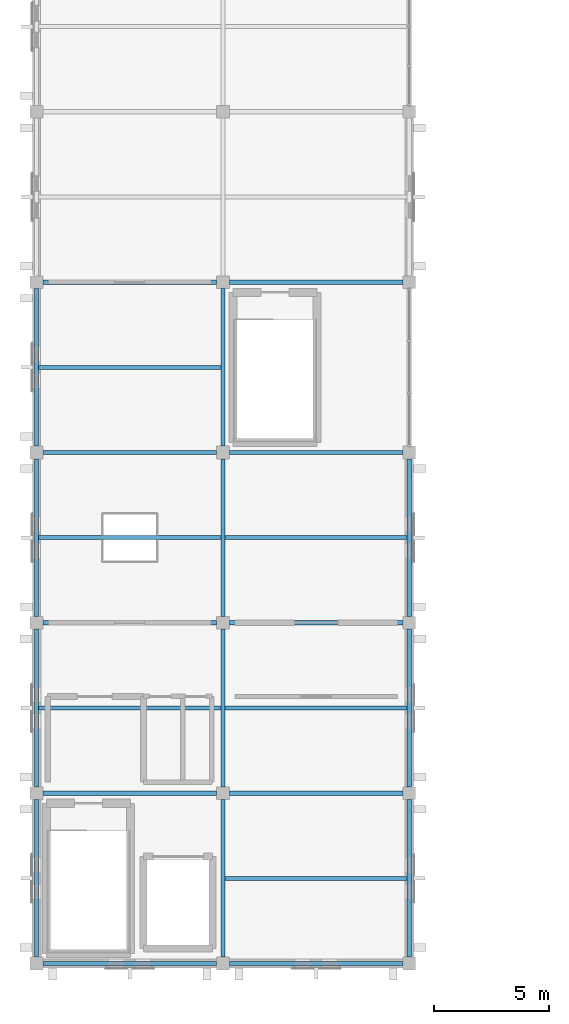
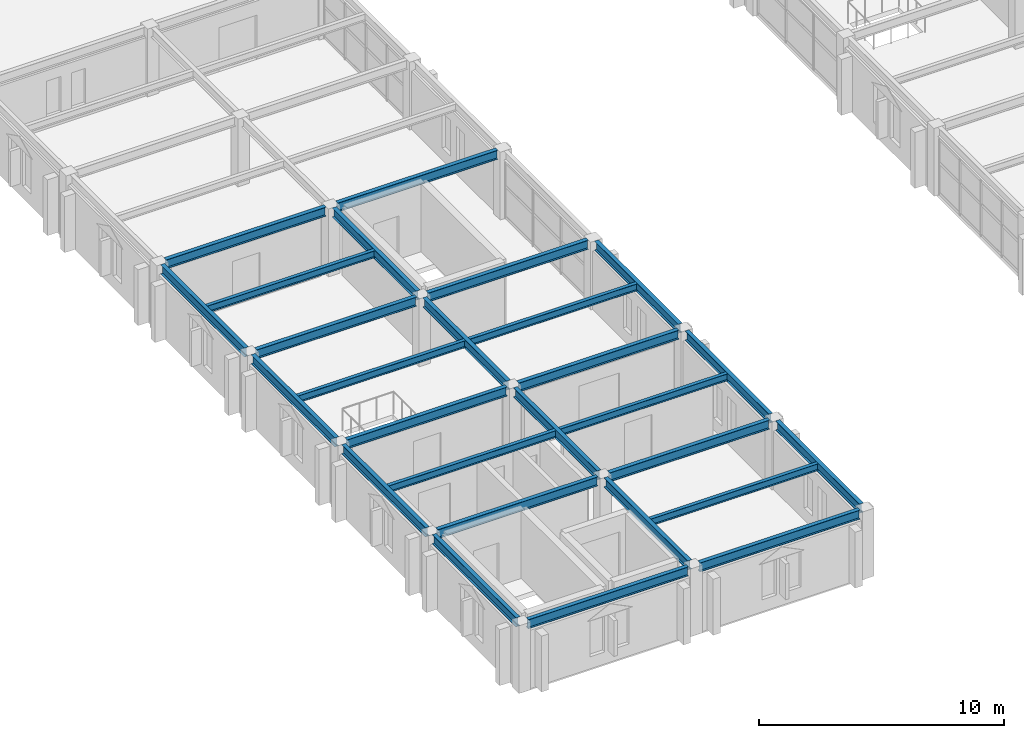
# One storey, part 5 of 93: 27 beams.
"""IFC4 building model written with IfcOpenShell, lengths in metres."""

from ifc_helpers import new_model, si_unit, direction, frame, origin, origin_2d, place, context, subcontext, project, spatial, i_section, extrude, material, material_profile, profile_set, type_object, element, save


model = new_model("IFC4")

# Units and contexts
model_context = context("Model", 3, precision=1e-05, world=origin(), true_north=direction((0.0, 1.0)))
body_context = subcontext(model_context, "Body", "Model", "MODEL_VIEW")
ifc_project = project(units=[si_unit("LENGTHUNIT", "METRE"), si_unit("AREAUNIT", "SQUARE_METRE"), si_unit("VOLUMEUNIT", "CUBIC_METRE"), si_unit("PLANEANGLEUNIT", "RADIAN"), si_unit("MASSUNIT", "GRAM", prefix="KILO")], contexts=[model_context])

# Site, building, storey
site_placement = place(None, origin())
site = spatial("IfcSite", under=ifc_project, at=site_placement, CompositionType="ELEMENT")
building_placement = place(site_placement, origin())
building = spatial("IfcBuilding", under=site, at=building_placement, Name="Cimatlan Art Gallery", CompositionType="ELEMENT")
storey_placement = place(building_placement, frame((0.0, 0.0, 13.800048828125)))
storey = spatial("IfcBuildingStorey", under=building, at=storey_placement, Name="L03", CompositionType="ELEMENT", Elevation=13.800048828125)

# Beams
ifc_material = material(Name="Steel ASTM A992 Grade 50", Category="steel")
ifc_material_profile_1 = material_profile(ifc_material, i_section(OverallWidth=0.1708984375, OverallDepth=0.35107421875, WebThickness=0.0068359375, FlangeThickness=0.009765625, at=origin_2d()), Name="W14X30")
ifc_profile_set_1 = profile_set([ifc_material_profile_1], Name="Steel ASTM A992 Grade 50")
beam_type_1 = type_object("IfcBeamType", Name="BM-STL-W14X30", PredefinedType="JOIST", material=ifc_profile_set_1)
for number, where, z_axis, x_axis, name in (
    (1, (2.095458984375, 35.0, 3.204345703125), (1.0, 0.0, 0.0), (0.0, 1.0, 0.0), "JST-L03-00-04"),
    (2, (2.095458984375, 42.39990234375, 3.204345703125), (1.0, 0.0, 0.0), (0.0, 1.0, 0.0), "JST-L03-00-05"),
    (3, (2.095458984375, 49.800048828125, 3.204345703125), (1.0, 0.0, 0.0), (0.0, 1.0, 0.0), "JST-L03-00-06"),
    (4, (10.195556640625, 27.60009765625, 3.204345703125), (1.0, 0.0, 0.0), (0.0, 1.0, 0.0), "JST-L03-01-03"),
    (5, (10.195556640625, 35.0, 3.204345703125), (1.0, 0.0, 0.0), (0.0, 1.0, 0.0), "JST-L03-01-04"),
    (6, (10.195556640625, 42.39990234375, 3.204345703125), (1.0, 0.0, 0.0), (0.0, 1.0, 0.0), "JST-L03-01-05"),
):
    element("IfcBeam", number, at=place(storey_placement, frame(where, z_axis=z_axis, x_axis=x_axis)), inside=storey, type_object=beam_type_1, Name=name, PredefinedType="JOIST", context=body_context, shape_type="SweptSolid", body=[
        extrude(i_section(OverallWidth=0.1708984375, OverallDepth=0.35107421875, WebThickness=0.0068359375, FlangeThickness=0.009765625, at=origin_2d()), origin(), (0.0, 0.0, 1.0), 7.908935546875),
    ])
ifc_material_profile_2 = material_profile(ifc_material, i_section(OverallWidth=0.19091796875, OverallDepth=0.45703125, WebThickness=0.009033203125, FlangeThickness=0.014404296875, at=origin_2d()), Name="W18X50")
ifc_profile_set_2 = profile_set([ifc_material_profile_2], Name="Steel ASTM A992 Grade 50")
beam_type_2 = type_object("IfcBeamType", Name="BM-STL-W18X50", PredefinedType="BEAM", material=ifc_profile_set_2)
beam_1_placement = place(storey_placement, frame((2.0, 24.175048828125, 3.1513671875), z_axis=(0.0, 1.0, 0.0), x_axis=(-1.0, 0.0, 0.0)))
element("IfcBeam", 7, at=beam_1_placement, inside=storey, type_object=beam_type_2, Name="BM-Y-L03-00-03", PredefinedType="BEAM", context=body_context, shape_type="SweptSolid", body=[
    extrude(i_section(OverallWidth=0.19091796875, OverallDepth=0.45703125, WebThickness=0.009033203125, FlangeThickness=0.014404296875, at=origin_2d()), origin(), (0.0, 0.0, 1.0), 6.849853515625),
])
beam_2_placement = place(storey_placement, frame((2.0, 31.574951171875, 3.1513671875), z_axis=(0.0, 1.0, 0.0), x_axis=(-1.0, 0.0, 0.0)))
element("IfcBeam", 8, at=beam_2_placement, inside=storey, type_object=beam_type_2, Name="BM-Y-L03-00-04", PredefinedType="BEAM", context=body_context, shape_type="SweptSolid", body=[
    extrude(i_section(OverallWidth=0.19091796875, OverallDepth=0.45703125, WebThickness=0.009033203125, FlangeThickness=0.014404296875, at=origin_2d()), origin(), (0.0, 0.0, 1.0), 6.85009765625),
])
beam_3_placement = place(storey_placement, frame((2.0, 38.97509765625, 3.1513671875), z_axis=(0.0, 1.0, 0.0), x_axis=(-1.0, 0.0, 0.0)))
element("IfcBeam", 9, at=beam_3_placement, inside=storey, type_object=beam_type_2, Name="BM-Y-L03-00-05", PredefinedType="BEAM", context=body_context, shape_type="SweptSolid", body=[
    extrude(i_section(OverallWidth=0.19091796875, OverallDepth=0.45703125, WebThickness=0.009033203125, FlangeThickness=0.014404296875, at=origin_2d()), origin(), (0.0, 0.0, 1.0), 6.849853515625),
])
beam_4_placement = place(storey_placement, frame((2.0, 46.375, 3.1513671875), z_axis=(0.0, 1.0, 0.0), x_axis=(-1.0, 0.0, 0.0)))
element("IfcBeam", 10, at=beam_4_placement, inside=storey, type_object=beam_type_2, Name="BM-Y-L03-00-06", PredefinedType="BEAM", context=body_context, shape_type="SweptSolid", body=[
    extrude(i_section(OverallWidth=0.19091796875, OverallDepth=0.45703125, WebThickness=0.009033203125, FlangeThickness=0.014404296875, at=origin_2d()), origin(), (0.0, 0.0, 1.0), 6.85009765625),
])
beam_5_placement = place(storey_placement, frame((10.10009765625, 24.175048828125, 3.1513671875), z_axis=(0.0, 1.0, 0.0), x_axis=(-1.0, 0.0, 0.0)))
element("IfcBeam", 11, at=beam_5_placement, inside=storey, type_object=beam_type_2, Name="BM-Y-L03-01-03", PredefinedType="BEAM", context=body_context, shape_type="SweptSolid", body=[
    extrude(i_section(OverallWidth=0.19091796875, OverallDepth=0.45703125, WebThickness=0.009033203125, FlangeThickness=0.014404296875, at=origin_2d()), origin(), (0.0, 0.0, 1.0), 6.849853515625),
])
beam_6_placement = place(storey_placement, frame((10.10009765625, 31.574951171875, 3.1513671875), z_axis=(0.0, 1.0, 0.0), x_axis=(-1.0, 0.0, 0.0)))
element("IfcBeam", 12, at=beam_6_placement, inside=storey, type_object=beam_type_2, Name="BM-Y-L03-01-04", PredefinedType="BEAM", context=body_context, shape_type="SweptSolid", body=[
    extrude(i_section(OverallWidth=0.19091796875, OverallDepth=0.45703125, WebThickness=0.009033203125, FlangeThickness=0.014404296875, at=origin_2d()), origin(), (0.0, 0.0, 1.0), 6.85009765625),
])
beam_7_placement = place(storey_placement, frame((10.10009765625, 38.97509765625, 3.1513671875), z_axis=(0.0, 1.0, 0.0), x_axis=(-1.0, 0.0, 0.0)))
element("IfcBeam", 13, at=beam_7_placement, inside=storey, type_object=beam_type_2, Name="BM-Y-L03-01-05", PredefinedType="BEAM", context=body_context, shape_type="SweptSolid", body=[
    extrude(i_section(OverallWidth=0.19091796875, OverallDepth=0.45703125, WebThickness=0.009033203125, FlangeThickness=0.014404296875, at=origin_2d()), origin(), (0.0, 0.0, 1.0), 6.849853515625),
])
beam_8_placement = place(storey_placement, frame((10.10009765625, 46.375, 3.1513671875), z_axis=(0.0, 1.0, 0.0), x_axis=(-1.0, 0.0, 0.0)))
element("IfcBeam", 14, at=beam_8_placement, inside=storey, type_object=beam_type_2, Name="BM-Y-L03-01-06", PredefinedType="BEAM", context=body_context, shape_type="SweptSolid", body=[
    extrude(i_section(OverallWidth=0.19091796875, OverallDepth=0.45703125, WebThickness=0.009033203125, FlangeThickness=0.014404296875, at=origin_2d()), origin(), (0.0, 0.0, 1.0), 6.85009765625),
])
beam_9_placement = place(storey_placement, frame((18.199951171875, 24.175048828125, 3.1513671875), z_axis=(0.0, 1.0, 0.0), x_axis=(-1.0, 0.0, 0.0)))
element("IfcBeam", 15, at=beam_9_placement, inside=storey, type_object=beam_type_2, Name="BM-Y-L03-02-03", PredefinedType="BEAM", context=body_context, shape_type="SweptSolid", body=[
    extrude(i_section(OverallWidth=0.19091796875, OverallDepth=0.45703125, WebThickness=0.009033203125, FlangeThickness=0.014404296875, at=origin_2d()), origin(), (0.0, 0.0, 1.0), 6.849853515625),
])
beam_10_placement = place(storey_placement, frame((18.199951171875, 31.574951171875, 3.1513671875), z_axis=(0.0, 1.0, 0.0), x_axis=(-1.0, 0.0, 0.0)))
element("IfcBeam", 16, at=beam_10_placement, inside=storey, type_object=beam_type_2, Name="BM-Y-L03-02-04", PredefinedType="BEAM", context=body_context, shape_type="SweptSolid", body=[
    extrude(i_section(OverallWidth=0.19091796875, OverallDepth=0.45703125, WebThickness=0.009033203125, FlangeThickness=0.014404296875, at=origin_2d()), origin(), (0.0, 0.0, 1.0), 6.85009765625),
])
beam_11_placement = place(storey_placement, frame((18.199951171875, 38.97509765625, 3.1513671875), z_axis=(0.0, 1.0, 0.0), x_axis=(-1.0, 0.0, 0.0)))
element("IfcBeam", 17, at=beam_11_placement, inside=storey, type_object=beam_type_2, Name="BM-Y-L03-02-05", PredefinedType="BEAM", context=body_context, shape_type="SweptSolid", body=[
    extrude(i_section(OverallWidth=0.19091796875, OverallDepth=0.45703125, WebThickness=0.009033203125, FlangeThickness=0.014404296875, at=origin_2d()), origin(), (0.0, 0.0, 1.0), 6.849853515625),
])
for number, where, z_axis, x_axis, name in (
    (18, (2.27490234375, 23.89990234375, 3.1513671875), (1.0, 0.0, 0.0), (0.0, 1.0, 0.0), "BM-X-L03-00-03"),
    (19, (2.27490234375, 31.300048828125, 3.1513671875), (1.0, 0.0, 0.0), (0.0, 1.0, 0.0), "BM-X-L03-00-04"),
    (20, (2.27490234375, 38.699951171875, 3.1513671875), (1.0, 0.0, 0.0), (0.0, 1.0, 0.0), "BM-X-L03-00-05"),
    (21, (2.27490234375, 46.10009765625, 3.1513671875), (1.0, 0.0, 0.0), (0.0, 1.0, 0.0), "BM-X-L03-00-06"),
    (22, (2.27490234375, 53.5, 3.1513671875), (1.0, 0.0, 0.0), (0.0, 1.0, 0.0), "BM-X-L03-00-07"),
    (23, (10.375, 23.89990234375, 3.1513671875), (1.0, 0.0, 0.0), (0.0, 1.0, 0.0), "BM-X-L03-01-03"),
    (24, (10.375, 31.300048828125, 3.1513671875), (1.0, 0.0, 0.0), (0.0, 1.0, 0.0), "BM-X-L03-01-04"),
    (25, (10.375, 38.699951171875, 3.1513671875), (1.0, 0.0, 0.0), (0.0, 1.0, 0.0), "BM-X-L03-01-05"),
    (26, (10.375, 46.10009765625, 3.1513671875), (1.0, 0.0, 0.0), (0.0, 1.0, 0.0), "BM-X-L03-01-06"),
    (27, (10.375, 53.5, 3.1513671875), (1.0, 0.0, 0.0), (0.0, 1.0, 0.0), "BM-X-L03-01-07"),
):
    element("IfcBeam", number, at=place(storey_placement, frame(where, z_axis=z_axis, x_axis=x_axis)), inside=storey, type_object=beam_type_2, Name=name, PredefinedType="BEAM", context=body_context, shape_type="SweptSolid", body=[
        extrude(i_section(OverallWidth=0.19091796875, OverallDepth=0.45703125, WebThickness=0.009033203125, FlangeThickness=0.014404296875, at=origin_2d()), origin(), (0.0, 0.0, 1.0), 7.550048828125),
    ])

save(model, "model.ifc")
